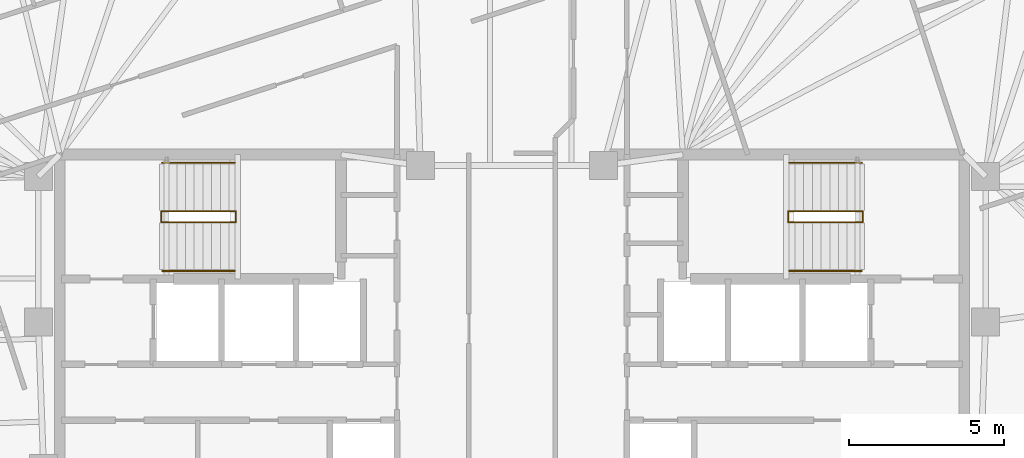
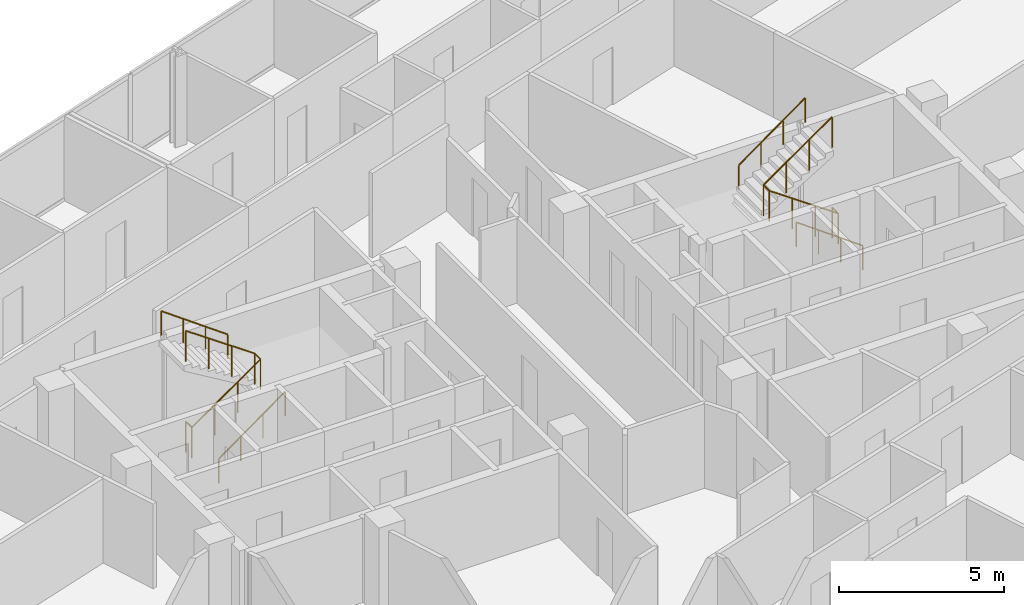
# One storey, part 20 of 20: 6 railings.
"""IFC4 building model written with IfcOpenShell, lengths in metres."""

from ifc_helpers import new_model, si_unit, direction, frame, origin, origin_2d, place, context, subcontext, project, spatial, circle, extrude, material, type_object, element, save


model = new_model("IFC4")

# Units and contexts
model_context = context("Model", 3, precision=1e-05, world=origin(), true_north=direction((0.0, 1.0)))
body_context = subcontext(model_context, "Body", "Model", "MODEL_VIEW")
ifc_project = project(units=[si_unit("LENGTHUNIT", "METRE"), si_unit("AREAUNIT", "SQUARE_METRE"), si_unit("VOLUMEUNIT", "CUBIC_METRE"), si_unit("PLANEANGLEUNIT", "RADIAN"), si_unit("MASSUNIT", "GRAM", prefix="KILO")], contexts=[model_context])

# Site, building, storey
site_placement = place(None, origin())
site = spatial("IfcSite", under=ifc_project, at=site_placement, CompositionType="ELEMENT")
building_placement = place(site_placement, origin())
building = spatial("IfcBuilding", under=site, at=building_placement, Name="Menara Jurai Vektor", CompositionType="ELEMENT")
storey_placement = place(building_placement, frame((0.0, 0.0, 247.75)))
storey = spatial("IfcBuildingStorey", under=building, at=storey_placement, Name="L66", CompositionType="ELEMENT", Elevation=247.75)

# Railings
ifc_material_1 = material(Name="Painted Galvanised Steel Balustrade", Category="steel")
railing_type_1 = type_object("IfcRailingType", Name="RAIL-STAIR-GUARD", PredefinedType="GUARDRAIL", material=ifc_material_1)
railing_1_placement = place(storey_placement, frame((-11.2900390625, 3.780029296875, 0.0)))
element("IfcRailing", 1, at=railing_1_placement, inside=storey, type_object=railing_type_1, Name="ST1 Stair Guardrail 1 L66", PredefinedType="GUARDRAIL", context=body_context, shape_type="SweptSolid", body=[
    extrude(circle(Radius=0.02392578125, at=origin_2d()), frame((0.0, 0.0, 1.1259765625), z_axis=(0.0, -1.0, 0.0), x_axis=(1.0, 0.0, 0.0)), (0.0, 0.0, 1.0), 0.360107421875),
    extrude(circle(Radius=0.02392578125, at=origin_2d()), frame((0.0, -0.360107421875, 1.1259765625), z_axis=(0.820042287322, 0.0, 0.572302932898), x_axis=(0.0, 1.0, 0.0)), (0.0, 0.0, 1.0), 2.9267578125),
    extrude(circle(Radius=0.02392578125, at=origin_2d()), frame((2.400146484375, -0.360107421875, 2.80078125), z_axis=(0.0, 1.0, 0.0), x_axis=(-1.0, 0.0, 0.0)), (0.0, 0.0, 1.0), 0.360107421875),
    extrude(circle(Radius=0.02392578125, at=origin_2d()), frame((2.400146484375, 0.0, 2.80078125), z_axis=(-0.820042287322, 0.0, 0.572302932898), x_axis=(0.0, -1.0, 0.0)), (0.0, 0.0, 1.0), 2.9267578125),
    extrude(circle(Radius=0.02099609375, at=origin_2d()), origin(), (0.0, 0.0, 1.0), 1.101806640625),
    extrude(circle(Radius=0.02099609375, at=origin_2d()), frame((0.0, -0.360107421875, 0.0)), (0.0, 0.0, 1.0), 1.101806640625),
    extrude(circle(Radius=0.02099609375, at=origin_2d()), frame((0.800048828125, -0.360107421875, 0.558349609375)), (0.0, 0.0, 1.0), 1.101806640625),
    extrude(circle(Radius=0.02099609375, at=origin_2d()), frame((1.60009765625, -0.360107421875, 1.11669921875)), (0.0, 0.0, 1.0), 1.101806640625),
    extrude(circle(Radius=0.02099609375, at=origin_2d()), frame((2.400146484375, -0.360107421875, 1.675048828125)), (0.0, 0.0, 1.0), 1.101806640625),
    extrude(circle(Radius=0.02099609375, at=origin_2d()), frame((2.400146484375, 0.0, 1.675048828125)), (0.0, 0.0, 1.0), 1.101806640625),
    extrude(circle(Radius=0.02099609375, at=origin_2d()), frame((1.60009765625, 0.0, 2.2333984375)), (0.0, 0.0, 1.0), 1.101806640625),
    extrude(circle(Radius=0.02099609375, at=origin_2d()), frame((0.800048828125, 0.0, 2.791748046875)), (0.0, 0.0, 1.0), 1.101806640625),
    extrude(circle(Radius=0.02099609375, at=origin_2d()), frame((0.0, 0.0, 3.35009765625)), (0.0, 0.0, 1.0), 1.101806640625),
])
railing_2_placement = place(storey_placement, frame((11.2900390625, 3.780029296875, 0.0)))
element("IfcRailing", 2, at=railing_2_placement, inside=storey, type_object=railing_type_1, Name="ST2 Stair Guardrail 1 L66", PredefinedType="GUARDRAIL", context=body_context, shape_type="SweptSolid", body=[
    extrude(circle(Radius=0.02392578125, at=origin_2d()), frame((0.0, 0.0, 1.1259765625), z_axis=(0.0, -1.0, 0.0), x_axis=(1.0, 0.0, 0.0)), (0.0, 0.0, 1.0), 0.360107421875),
    extrude(circle(Radius=0.02392578125, at=origin_2d()), frame((0.0, -0.360107421875, 1.1259765625), z_axis=(-0.820042287322, 0.0, 0.572302932898), x_axis=(0.0, -1.0, 0.0)), (0.0, 0.0, 1.0), 2.9267578125),
    extrude(circle(Radius=0.02392578125, at=origin_2d()), frame((-2.400146484375, -0.360107421875, 2.80078125), z_axis=(0.0, 1.0, 0.0), x_axis=(-1.0, 0.0, 0.0)), (0.0, 0.0, 1.0), 0.360107421875),
    extrude(circle(Radius=0.02392578125, at=origin_2d()), frame((-2.400146484375, 0.0, 2.80078125), z_axis=(0.820042287322, 0.0, 0.572302932898), x_axis=(0.0, 1.0, 0.0)), (0.0, 0.0, 1.0), 2.9267578125),
    extrude(circle(Radius=0.02099609375, at=origin_2d()), origin(), (0.0, 0.0, 1.0), 1.101806640625),
    extrude(circle(Radius=0.02099609375, at=origin_2d()), frame((0.0, -0.360107421875, 0.0)), (0.0, 0.0, 1.0), 1.101806640625),
    extrude(circle(Radius=0.02099609375, at=origin_2d()), frame((-0.800048828125, -0.360107421875, 0.558349609375)), (0.0, 0.0, 1.0), 1.101806640625),
    extrude(circle(Radius=0.02099609375, at=origin_2d()), frame((-1.60009765625, -0.360107421875, 1.11669921875)), (0.0, 0.0, 1.0), 1.101806640625),
    extrude(circle(Radius=0.02099609375, at=origin_2d()), frame((-2.400146484375, -0.360107421875, 1.675048828125)), (0.0, 0.0, 1.0), 1.101806640625),
    extrude(circle(Radius=0.02099609375, at=origin_2d()), frame((-2.400146484375, 0.0, 1.675048828125)), (0.0, 0.0, 1.0), 1.101806640625),
    extrude(circle(Radius=0.02099609375, at=origin_2d()), frame((-1.60009765625, 0.0, 2.2333984375)), (0.0, 0.0, 1.0), 1.101806640625),
    extrude(circle(Radius=0.02099609375, at=origin_2d()), frame((-0.800048828125, 0.0, 2.791748046875)), (0.0, 0.0, 1.0), 1.101806640625),
    extrude(circle(Radius=0.02099609375, at=origin_2d()), frame((0.0, 0.0, 3.35009765625)), (0.0, 0.0, 1.0), 1.101806640625),
])
ifc_material_2 = material(Name="Brushed Stainless Steel Handrail", Category="steel")
railing_type_2 = type_object("IfcRailingType", Name="RAIL-STAIR-HAND", PredefinedType="HANDRAIL", material=ifc_material_2)
railing_3_placement = place(storey_placement, frame((-11.25, 1.860107421875, 0.0)))
element("IfcRailing", 3, at=railing_3_placement, inside=storey, type_object=railing_type_2, Name="ST1 Stair Handrail 1 L66", PredefinedType="HANDRAIL", context=body_context, shape_type="SweptSolid", body=[
    extrude(circle(Radius=0.02392578125, at=origin_2d()), frame((0.0, 0.0, 0.89599609375), z_axis=(0.810771458067, 0.0, 0.585362830032), x_axis=(0.0, 1.0, 0.0)), (0.0, 0.0, 1.0), 2.861572265625),
    extrude(circle(Radius=0.02099609375, at=origin_2d()), origin(), (0.0, 0.0, 1.0), 0.871826171875),
    extrude(circle(Radius=0.02099609375, at=origin_2d()), frame((0.7734375, 0.0, 0.558349609375)), (0.0, 0.0, 1.0), 0.871826171875),
    extrude(circle(Radius=0.02099609375, at=origin_2d()), frame((1.546630859375, 0.0, 1.11669921875)), (0.0, 0.0, 1.0), 0.871826171875),
    extrude(circle(Radius=0.02099609375, at=origin_2d()), frame((2.320068359375, 0.0, 1.675048828125)), (0.0, 0.0, 1.0), 0.871826171875),
])
for number, where, name in (
    (4, (-8.929931640625, 5.340087890625, 1.675048828125), "ST1 Stair Handrail 2 L66"),
    (5, (11.25, 1.860107421875, 0.0), "ST2 Stair Handrail 1 L66"),
):
    element("IfcRailing", number, at=place(storey_placement, frame(where)), inside=storey, type_object=railing_type_2, Name=name, PredefinedType="HANDRAIL", context=body_context, shape_type="SweptSolid", body=[
        extrude(circle(Radius=0.02392578125, at=origin_2d()), frame((0.0, 0.0, 0.89599609375), z_axis=(-0.810771458067, 0.0, 0.585362830032), x_axis=(0.0, -1.0, 0.0)), (0.0, 0.0, 1.0), 2.861572265625),
        extrude(circle(Radius=0.02099609375, at=origin_2d()), origin(), (0.0, 0.0, 1.0), 0.871826171875),
        extrude(circle(Radius=0.02099609375, at=origin_2d()), frame((-0.7734375, 0.0, 0.558349609375)), (0.0, 0.0, 1.0), 0.871826171875),
        extrude(circle(Radius=0.02099609375, at=origin_2d()), frame((-1.546630859375, 0.0, 1.11669921875)), (0.0, 0.0, 1.0), 0.871826171875),
        extrude(circle(Radius=0.02099609375, at=origin_2d()), frame((-2.320068359375, 0.0, 1.675048828125)), (0.0, 0.0, 1.0), 0.871826171875),
    ])
railing_4_placement = place(storey_placement, frame((8.929931640625, 5.340087890625, 1.675048828125)))
element("IfcRailing", 6, at=railing_4_placement, inside=storey, type_object=railing_type_2, Name="ST2 Stair Handrail 2 L66", PredefinedType="HANDRAIL", context=body_context, shape_type="SweptSolid", body=[
    extrude(circle(Radius=0.02392578125, at=origin_2d()), frame((0.0, 0.0, 0.89599609375), z_axis=(0.810771458067, 0.0, 0.585362830032), x_axis=(0.0, 1.0, 0.0)), (0.0, 0.0, 1.0), 2.861572265625),
    extrude(circle(Radius=0.02099609375, at=origin_2d()), origin(), (0.0, 0.0, 1.0), 0.871826171875),
    extrude(circle(Radius=0.02099609375, at=origin_2d()), frame((0.7734375, 0.0, 0.558349609375)), (0.0, 0.0, 1.0), 0.871826171875),
    extrude(circle(Radius=0.02099609375, at=origin_2d()), frame((1.546630859375, 0.0, 1.11669921875)), (0.0, 0.0, 1.0), 0.871826171875),
    extrude(circle(Radius=0.02099609375, at=origin_2d()), frame((2.320068359375, 0.0, 1.675048828125)), (0.0, 0.0, 1.0), 0.871826171875),
])

save(model, "model.ifc")
